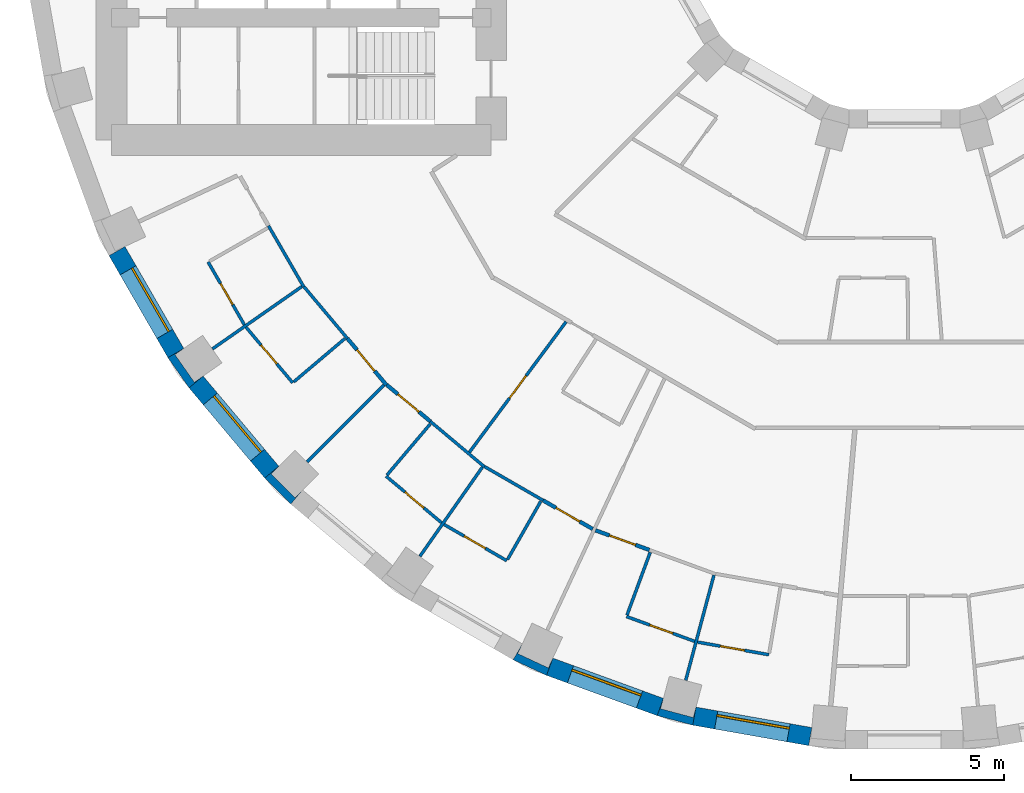
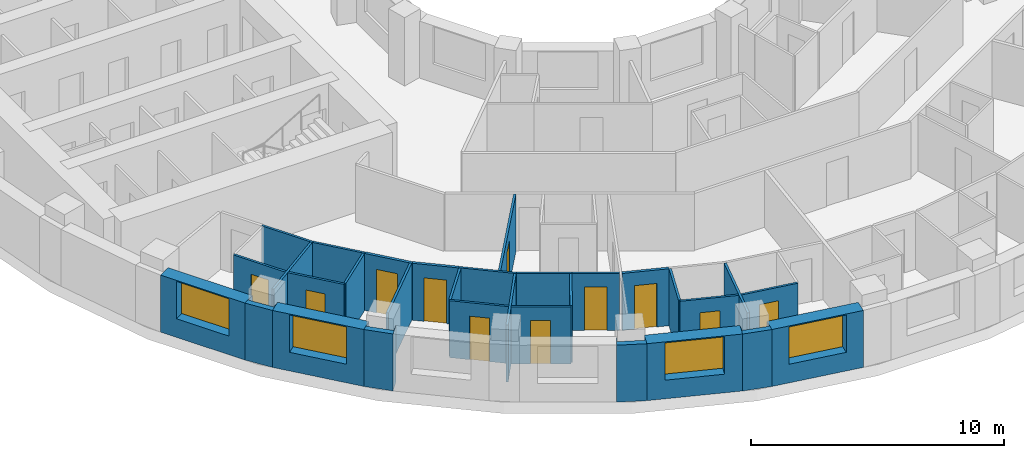
# One storey, part 4 of 15: 31 walls, 11 doors, 4 windows, 15 openings.
"""IFC4 building model written with IfcOpenShell, lengths in metres."""

from ifc_helpers import new_model, si_unit, direction, frame, frame_2d, origin, place, context, subcontext, project, spatial, polyline, rectangle, outline, extrude, material, layer, layer_set, type_object, element, fill, save


model = new_model("IFC4")

# Units and contexts
model_context = context("Model", 3, precision=1e-05, world=origin(), true_north=direction((0.0, 1.0)))
body_context = subcontext(model_context, "Body", "Model", "MODEL_VIEW")
ifc_project = project(units=[si_unit("LENGTHUNIT", "METRE"), si_unit("AREAUNIT", "SQUARE_METRE"), si_unit("VOLUMEUNIT", "CUBIC_METRE"), si_unit("PLANEANGLEUNIT", "RADIAN"), si_unit("MASSUNIT", "GRAM", prefix="KILO")], contexts=[model_context])

# Site, building, storey
site_placement = place(None, origin())
site = spatial("IfcSite", under=ifc_project, at=site_placement, CompositionType="ELEMENT")
building_placement = place(site_placement, origin())
building = spatial("IfcBuilding", under=site, at=building_placement, Name="Saqina Gate Tower", CompositionType="ELEMENT")
storey_placement = place(building_placement, frame((0.0, 0.0, 42.800048828125)))
storey = spatial("IfcBuildingStorey", under=building, at=storey_placement, Name="L11", CompositionType="ELEMENT", Elevation=42.800048828125)

# Walls
ifc_material_1 = material(Name="Brick masonry (red)", Category="masonry")
wall_type_1 = type_object("IfcWallType", Name="BRICK PIER COPING RED", PredefinedType="SOLIDWALL", material=ifc_material_1)
wall_1_placement = place(storey_placement, origin())
element("IfcWall", 1, at=wall_1_placement, inside=storey, type_object=wall_type_1, Name="Pier cap L11 column 22", PredefinedType="SOLIDWALL", context=body_context, shape_type="SweptSolid", body=[
    extrude(outline(polyline([(-24.0576171875, -16.110107421875), (-23.36669921875, -17.096923828125), (-22.9072265625, -16.711181640625), (-23.194091796875, -16.912109375), (-23.8251953125, -16.010986328125), (-23.5380859375, -15.81005859375), (-24.0576171875, -16.110107421875)])), origin(), (0.0, 0.0, 1.0), 2.75),
])
wall_2_placement = place(storey_placement, origin())
element("IfcWall", 2, at=wall_2_placement, inside=storey, type_object=wall_type_1, Name="Pier cap L11 column 23", PredefinedType="SOLIDWALL", context=body_context, shape_type="SweptSolid", body=[
    extrude(outline(polyline([(-20.04296875, -20.894775390625), (-19.6572265625, -20.43505859375), (-19.905029296875, -20.682861328125), (-20.682861328125, -19.905029296875), (-20.43505859375, -19.6572265625), (-20.894775390625, -20.04296875), (-20.04296875, -20.894775390625)])), origin(), (0.0, 0.0, 1.0), 2.75),
])
wall_3_placement = place(storey_placement, origin())
element("IfcWall", 3, at=wall_3_placement, inside=storey, type_object=wall_type_1, Name="Pier cap L11 column 25", PredefinedType="SOLIDWALL", context=body_context, shape_type="SweptSolid", body=[
    extrude(outline(polyline([(-11.687744140625, -26.48974609375), (-11.482666015625, -25.92578125), (-11.630615234375, -26.243408203125), (-12.627685546875, -25.778564453125), (-12.4794921875, -25.4609375), (-12.779541015625, -25.980712890625), (-11.687744140625, -26.48974609375)])), origin(), (0.0, 0.0, 1.0), 2.75),
])
wall_4_placement = place(storey_placement, origin())
element("IfcWall", 4, at=wall_4_placement, inside=storey, type_object=wall_type_1, Name="Pier cap L11 column 26", PredefinedType="SOLIDWALL", context=body_context, shape_type="SweptSolid", body=[
    extrude(outline(polyline([(-6.910400390625, -28.11669921875), (-6.80615234375, -27.52587890625), (-6.896728515625, -27.864501953125), (-7.95947265625, -27.57958984375), (-7.86865234375, -27.2412109375), (-8.073974609375, -27.80517578125), (-6.910400390625, -28.11669921875)])), origin(), (0.0, 0.0, 1.0), 2.75),
])

# Wall, opening, window
ifc_material_2 = material(Name="Brick masonry (red)", Category="masonry")
ifc_layer_1 = layer(ifc_material_2, 0.60009765625)
ifc_layer_set_1 = layer_set([ifc_layer_1], Name="FW-BRICK-RED")
wall_type_2 = type_object("IfcWallType", Name="FW-BRICK-RED", PredefinedType="SOLIDWALL", material=ifc_layer_set_1)
wall_5_placement = place(storey_placement, frame((-25.720703125, -12.629638671875, 0.0), z_axis=(0.0, 0.0, 1.0), x_axis=(0.499989888488, -0.86603124159, 0.0)))
wall_5 = element("IfcWall", 5, at=wall_5_placement, inside=storey, type_object=wall_type_2, Name="Facade wall L11 facet 21", PredefinedType="SOLIDWALL", context=body_context, shape_type="SweptSolid", body=[
    extrude(rectangle(XDim=3.845703125, YDim=0.60009765625, at=frame_2d((1.9228515625, 0.0))), origin(), (0.0, 0.0, 1.0), 2.75),
])
opening_1_placement = place(wall_5_placement, frame((0.722900390625, 0.0, 0.89990234375)))
opening_1 = element("IfcOpeningElement", 6, at=opening_1_placement, cuts=wall_5, Name="Opening G02-W14", PredefinedType="OPENING", context=body_context, shape_type="SweptSolid", body=[
    extrude(rectangle(XDim=2.39990234375, YDim=1.800048828125, at=frame_2d((1.199951171875, 0.89990234375))), frame((0.0, 0.31201171875, 0.0), z_axis=(0.0, -1.0, 0.0), x_axis=(1.0, 0.0, 0.0)), (0.0, 0.0, 1.0), 0.6240234375),
])
ifc_material_3 = material(Name="Aluminium glazing", Category="aluminium")
window_type = type_object("IfcWindowType", Name="WN-A", PartitioningType="SINGLE_PANEL", PredefinedType="WINDOW", material=ifc_material_3)
window_1_placement = place(opening_1_placement, origin())
window_1 = element("IfcWindow", 7, at=window_1_placement, inside=storey, type_object=window_type, Name="Window L11 facet 21", OverallHeight=1.800048828125, OverallWidth=2.39990234375, PartitioningType="SINGLE_PANEL", PredefinedType="WINDOW", context=body_context, shape_type="SweptSolid", body=[
    extrude(rectangle(XDim=2.39990234375, YDim=1.800048828125, at=frame_2d((1.199951171875, 0.89990234375))), frame((0.0, 0.179931640625, 0.0), z_axis=(0.0, -1.0, 0.0), x_axis=(1.0, 0.0, 0.0)), (0.0, 0.0, 1.0), 0.06005859375),
])
fill(opening_1, window_1)

wall_6_placement = place(storey_placement, frame((-23.136962890625, -16.904052734375, 0.0), z_axis=(0.0, 0.0, 1.0), x_axis=(0.642809392687, -0.766026164483, 0.0)))
wall_6 = element("IfcWall", 8, at=wall_6_placement, inside=storey, type_object=wall_type_2, Name="Facade wall L11 facet 22", PredefinedType="SOLIDWALL", context=body_context, shape_type="SweptSolid", body=[
    extrude(rectangle(XDim=3.845947265625, YDim=0.60009765625, at=frame_2d((1.9228515625, 0.0))), origin(), (0.0, 0.0, 1.0), 2.75),
])
opening_2_placement = place(wall_6_placement, frame((0.722900390625, 0.0, 0.89990234375)))
opening_2 = element("IfcOpeningElement", 9, at=opening_2_placement, cuts=wall_6, Name="Opening G02-W15", PredefinedType="OPENING", context=body_context, shape_type="SweptSolid", body=[
    extrude(rectangle(XDim=2.39990234375, YDim=1.800048828125, at=frame_2d((1.199951171875, 0.89990234375))), frame((0.0, 0.31201171875, 0.0), z_axis=(0.0, -1.0, 0.0), x_axis=(1.0, 0.0, 0.0)), (0.0, 0.0, 1.0), 0.6240234375),
])
window_2_placement = place(opening_2_placement, origin())
window_2 = element("IfcWindow", 10, at=window_2_placement, inside=storey, type_object=window_type, Name="Window L11 facet 22", OverallHeight=1.800048828125, OverallWidth=2.39990234375, PartitioningType="SINGLE_PANEL", PredefinedType="WINDOW", context=body_context, shape_type="SweptSolid", body=[
    extrude(rectangle(XDim=2.39990234375, YDim=1.800048828125, at=frame_2d((1.199951171875, 0.89990234375))), frame((0.0, 0.179931640625, 0.0), z_axis=(0.0, -1.0, 0.0), x_axis=(1.0, 0.0, 0.0)), (0.0, 0.0, 1.0), 0.06005859375),
])
fill(opening_2, window_2)

wall_7_placement = place(storey_placement, frame((-11.585205078125, -26.207763671875, 0.0), z_axis=(0.0, 0.0, 1.0), x_axis=(0.939689588564, -0.342028474173, 0.0)))
wall_7 = element("IfcWall", 11, at=wall_7_placement, inside=storey, type_object=wall_type_2, Name="Facade wall L11 facet 25", PredefinedType="SOLIDWALL", context=body_context, shape_type="SweptSolid", body=[
    extrude(rectangle(XDim=3.845947265625, YDim=0.60009765625, at=frame_2d((1.9228515625, 0.0))), origin(), (0.0, 0.0, 1.0), 2.75),
])
opening_3_placement = place(wall_7_placement, frame((0.722900390625, 0.0, 0.89990234375)))
opening_3 = element("IfcOpeningElement", 12, at=opening_3_placement, cuts=wall_7, Name="Opening G02-W18", PredefinedType="OPENING", context=body_context, shape_type="SweptSolid", body=[
    extrude(rectangle(XDim=2.39990234375, YDim=1.800048828125, at=frame_2d((1.199951171875, 0.89990234375))), frame((0.0, 0.31201171875, 0.0), z_axis=(0.0, -1.0, 0.0), x_axis=(1.0, 0.0, 0.0)), (0.0, 0.0, 1.0), 0.6240234375),
])
window_3_placement = place(opening_3_placement, origin())
window_3 = element("IfcWindow", 13, at=window_3_placement, inside=storey, type_object=window_type, Name="Window L11 facet 25", OverallHeight=1.800048828125, OverallWidth=2.39990234375, PartitioningType="SINGLE_PANEL", PredefinedType="WINDOW", context=body_context, shape_type="SweptSolid", body=[
    extrude(rectangle(XDim=2.39990234375, YDim=1.800048828125, at=frame_2d((1.199951171875, 0.89990234375))), frame((0.0, 0.179931640625, 0.0), z_axis=(0.0, -1.0, 0.0), x_axis=(1.0, 0.0, 0.0)), (0.0, 0.0, 1.0), 0.06005859375),
])
fill(opening_3, window_3)

wall_8_placement = place(storey_placement, frame((-6.858154296875, -27.8212890625, 0.0), z_axis=(0.0, 0.0, 1.0), x_axis=(0.984800809218, -0.173687553279, 0.0)))
wall_8 = element("IfcWall", 14, at=wall_8_placement, inside=storey, type_object=wall_type_2, Name="Facade wall L11 facet 26", PredefinedType="SOLIDWALL", context=body_context, shape_type="SweptSolid", body=[
    extrude(rectangle(XDim=3.845703125, YDim=0.60009765625, at=frame_2d((1.9228515625, 0.0))), origin(), (0.0, 0.0, 1.0), 2.75),
])
opening_4_placement = place(wall_8_placement, frame((0.722900390625, 0.0, 0.89990234375)))
opening_4 = element("IfcOpeningElement", 15, at=opening_4_placement, cuts=wall_8, Name="Opening G02-W19", PredefinedType="OPENING", context=body_context, shape_type="SweptSolid", body=[
    extrude(rectangle(XDim=2.39990234375, YDim=1.800048828125, at=frame_2d((1.199951171875, 0.89990234375))), frame((0.0, 0.31201171875, 0.0), z_axis=(0.0, -1.0, 0.0), x_axis=(1.0, 0.0, 0.0)), (0.0, 0.0, 1.0), 0.6240234375),
])
window_4_placement = place(opening_4_placement, origin())
window_4 = element("IfcWindow", 16, at=window_4_placement, inside=storey, type_object=window_type, Name="Window L11 facet 26", OverallHeight=1.800048828125, OverallWidth=2.39990234375, PartitioningType="SINGLE_PANEL", PredefinedType="WINDOW", context=body_context, shape_type="SweptSolid", body=[
    extrude(rectangle(XDim=2.39990234375, YDim=1.800048828125, at=frame_2d((1.199951171875, 0.89990234375))), frame((0.0, 0.179931640625, 0.0), z_axis=(0.0, -1.0, 0.0), x_axis=(1.0, 0.0, 0.0)), (0.0, 0.0, 1.0), 0.06005859375),
])
fill(opening_4, window_4)

# Wall, opening, door
ifc_material_4 = material(Name="Gypsum board on steel studs, 100 mm", Category="steel")
ifc_layer_2 = layer(ifc_material_4, 0.10009765625)
ifc_layer_set_2 = layer_set([ifc_layer_2], Name="PARTITION 100")
wall_type_3 = type_object("IfcWallType", Name="PARTITION 100", PredefinedType="PARTITIONING", material=ifc_layer_set_2)
wall_9_placement = place(storey_placement, frame((-22.743896484375, -12.985107421875, 0.0), z_axis=(0.0, 0.0, 1.0), x_axis=(0.499987246797, -0.866032766724, 0.0)))
wall_9 = element("IfcWall", 17, at=wall_9_placement, inside=storey, type_object=wall_type_3, Name="PARTITION PW3-23", PredefinedType="PARTITIONING", context=body_context, shape_type="SweptSolid", body=[
    extrude(rectangle(XDim=2.36767578125, YDim=0.10009765625, at=frame_2d((1.183837890625, 0.0))), origin(), (0.0, 0.0, 1.0), 2.75),
])
opening_5_placement = place(wall_9_placement, frame((0.80908203125, 0.0, 0.0)))
opening_5 = element("IfcOpeningElement", 18, at=opening_5_placement, cuts=wall_9, Name="Opening G02-D33", PredefinedType="OPENING", context=body_context, shape_type="SweptSolid", body=[
    extrude(rectangle(XDim=0.800048828125, YDim=2.10009765625, at=frame_2d((0.39990234375, 1.050048828125))), frame((0.0, 0.06201171875, 0.0), z_axis=(0.0, -1.0, 0.0), x_axis=(1.0, 0.0, 0.0)), (0.0, 0.0, 1.0), 0.1240234375),
])
ifc_material_5 = material(Name="Timber door leaf, 800 mm", Category="wood")
door_type_1 = type_object("IfcDoorType", Name="DOOR 800 TIMBER", OperationType="SINGLE_SWING_LEFT", PredefinedType="DOOR", material=ifc_material_5)
door_1_placement = place(opening_5_placement, frame((0.800048828125, 0.0, 0.0), z_axis=(0.0, 0.0, 1.0), x_axis=(-1.0, 0.0, 0.0)))
door_1 = element("IfcDoor", 19, at=door_1_placement, inside=storey, type_object=door_type_1, Name="DOOR G02-D33", OperationType="SINGLE_SWING_LEFT", OverallHeight=2.10009765625, OverallWidth=0.800048828125, PredefinedType="DOOR", context=body_context, shape_type="SweptSolid", body=[
    extrude(rectangle(XDim=0.800048828125, YDim=2.10009765625, at=frame_2d((0.39990234375, 1.050048828125))), frame((0.0, 0.02490234375, 0.0), z_axis=(0.0, -1.0, 0.0), x_axis=(1.0, 0.0, 0.0)), (0.0, 0.0, 1.0), 0.050048828125),
])
fill(opening_5, door_1)

# Wall
wall_10_placement = place(storey_placement, frame((-20.77197265625, -11.8017578125, 0.0), z_axis=(0.0, 0.0, 1.0), x_axis=(0.500055369823, -0.865993433642, 0.0)))
element("IfcWall", 20, at=wall_10_placement, inside=storey, type_object=wall_type_3, Name="PARTITION PW3-24", PredefinedType="PARTITIONING", context=body_context, shape_type="SweptSolid", body=[
    extrude(rectangle(XDim=2.306396484375, YDim=0.10009765625, at=frame_2d((1.1533203125, 0.0))), origin(), (0.0, 0.0, 1.0), 2.75),
])

# Wall, opening, door
wall_11_placement = place(storey_placement, frame((-21.5029296875, -15.1171875, 0.0), z_axis=(0.0, 0.0, 1.0), x_axis=(0.642807507344, -0.766027746561, 0.0)))
wall_11 = element("IfcWall", 21, at=wall_11_placement, inside=storey, type_object=wall_type_3, Name="PARTITION PW3-30", PredefinedType="PARTITIONING", context=body_context, shape_type="SweptSolid", body=[
    extrude(rectangle(XDim=2.36767578125, YDim=0.10009765625, at=frame_2d((1.183837890625, 0.0))), origin(), (0.0, 0.0, 1.0), 2.75),
])
opening_6_placement = place(wall_11_placement, frame((0.7587890625, 0.0, 0.0)))
opening_6 = element("IfcOpeningElement", 22, at=opening_6_placement, cuts=wall_11, Name="Opening G02-D34", PredefinedType="OPENING", context=body_context, shape_type="SweptSolid", body=[
    extrude(rectangle(XDim=0.800048828125, YDim=2.10009765625, at=frame_2d((0.39990234375, 1.050048828125))), frame((0.0, 0.06201171875, 0.0), z_axis=(0.0, -1.0, 0.0), x_axis=(1.0, 0.0, 0.0)), (0.0, 0.0, 1.0), 0.1240234375),
])
door_2_placement = place(opening_6_placement, frame((0.800048828125, 0.0, 0.0), z_axis=(0.0, 0.0, 1.0), x_axis=(-1.0, 0.0, 0.0)))
door_2 = element("IfcDoor", 23, at=door_2_placement, inside=storey, type_object=door_type_1, Name="DOOR G02-D34", OperationType="SINGLE_SWING_RIGHT", OverallHeight=2.10009765625, OverallWidth=0.800048828125, PredefinedType="DOOR", context=body_context, shape_type="SweptSolid", body=[
    extrude(rectangle(XDim=0.800048828125, YDim=2.10009765625, at=frame_2d((0.39990234375, 1.050048828125))), frame((0.0, 0.02490234375, 0.0), z_axis=(0.0, -1.0, 0.0), x_axis=(1.0, 0.0, 0.0)), (0.0, 0.0, 1.0), 0.050048828125),
])
fill(opening_6, door_2)

# Wall
wall_12_placement = place(storey_placement, frame((-19.61181640625, -13.793212890625, 0.0), z_axis=(0.0, 0.0, 1.0), x_axis=(0.642989550085, -0.765874949637, 0.0)))
element("IfcWall", 24, at=wall_12_placement, inside=storey, type_object=wall_type_3, Name="PARTITION PW3-31", PredefinedType="PARTITIONING", context=body_context, shape_type="SweptSolid", body=[
    extrude(rectangle(XDim=2.205322265625, YDim=0.10009765625, at=frame_2d((1.1025390625, 0.0))), origin(), (0.0, 0.0, 1.0), 2.75),
])

# Wall, opening, door
wall_13_placement = place(storey_placement, frame((-16.930908203125, -19.98095703125, 0.0), z_axis=(0.0, 0.0, 1.0), x_axis=(0.766027746561, -0.642807507344, 0.0)))
wall_13 = element("IfcWall", 25, at=wall_13_placement, inside=storey, type_object=wall_type_3, Name="PARTITION PW3-36", PredefinedType="PARTITIONING", context=body_context, shape_type="SweptSolid", body=[
    extrude(rectangle(XDim=2.36767578125, YDim=0.10009765625, at=frame_2d((1.183837890625, 0.0))), origin(), (0.0, 0.0, 1.0), 2.75),
])
opening_7_placement = place(wall_13_placement, frame((0.808837890625, 0.0, 0.0)))
opening_7 = element("IfcOpeningElement", 26, at=opening_7_placement, cuts=wall_13, Name="Opening G02-D37", PredefinedType="OPENING", context=body_context, shape_type="SweptSolid", body=[
    extrude(rectangle(XDim=0.800048828125, YDim=2.10009765625, at=frame_2d((0.39990234375, 1.050048828125))), frame((0.0, 0.06201171875, 0.0), z_axis=(0.0, -1.0, 0.0), x_axis=(1.0, 0.0, 0.0)), (0.0, 0.0, 1.0), 0.1240234375),
])
door_3_placement = place(opening_7_placement, frame((0.800048828125, 0.0, 0.0), z_axis=(0.0, 0.0, 1.0), x_axis=(-1.0, 0.0, 0.0)))
door_3 = element("IfcDoor", 27, at=door_3_placement, inside=storey, type_object=door_type_1, Name="DOOR G02-D37", OperationType="SINGLE_SWING_LEFT", OverallHeight=2.10009765625, OverallWidth=0.800048828125, PredefinedType="DOOR", context=body_context, shape_type="SweptSolid", body=[
    extrude(rectangle(XDim=0.800048828125, YDim=2.10009765625, at=frame_2d((0.39990234375, 1.050048828125))), frame((0.0, 0.02490234375, 0.0), z_axis=(0.0, -1.0, 0.0), x_axis=(1.0, 0.0, 0.0)), (0.0, 0.0, 1.0), 0.050048828125),
])
fill(opening_7, door_3)

# Wall
wall_14_placement = place(storey_placement, frame((-15.482177734375, -18.19384765625, 0.0), z_axis=(0.0, 0.0, 1.0), x_axis=(0.765838323525, -0.643033173499, 0.0)))
element("IfcWall", 28, at=wall_14_placement, inside=storey, type_object=wall_type_3, Name="PARTITION PW3-37", PredefinedType="PARTITIONING", context=body_context, shape_type="SweptSolid", body=[
    extrude(rectangle(XDim=2.30615234375, YDim=0.10009765625, at=frame_2d((1.153076171875, 0.0))), origin(), (0.0, 0.0, 1.0), 2.75),
])

# Wall, opening, door
wall_15_placement = place(storey_placement, frame((-15.03564453125, -21.56005859375, 0.0), z_axis=(0.0, 0.0, 1.0), x_axis=(0.866032766724, -0.499987246797, 0.0)))
wall_15 = element("IfcWall", 29, at=wall_15_placement, inside=storey, type_object=wall_type_3, Name="PARTITION PW3-40", PredefinedType="PARTITIONING", context=body_context, shape_type="SweptSolid", body=[
    extrude(rectangle(XDim=2.36767578125, YDim=0.10009765625, at=frame_2d((1.183837890625, 0.0))), origin(), (0.0, 0.0, 1.0), 2.75),
])
opening_8_placement = place(wall_15_placement, frame((0.759033203125, 0.0, 0.0)))
opening_8 = element("IfcOpeningElement", 30, at=opening_8_placement, cuts=wall_15, Name="Opening G02-D41", PredefinedType="OPENING", context=body_context, shape_type="SweptSolid", body=[
    extrude(rectangle(XDim=0.800048828125, YDim=2.10009765625, at=frame_2d((0.39990234375, 1.050048828125))), frame((0.0, 0.06201171875, 0.0), z_axis=(0.0, -1.0, 0.0), x_axis=(1.0, 0.0, 0.0)), (0.0, 0.0, 1.0), 0.1240234375),
])
door_4_placement = place(opening_8_placement, frame((0.800048828125, 0.0, 0.0), z_axis=(0.0, 0.0, 1.0), x_axis=(-1.0, 0.0, 0.0)))
door_4 = element("IfcDoor", 31, at=door_4_placement, inside=storey, type_object=door_type_1, Name="DOOR G02-D41", OperationType="SINGLE_SWING_RIGHT", OverallHeight=2.10009765625, OverallWidth=0.800048828125, PredefinedType="DOOR", context=body_context, shape_type="SweptSolid", body=[
    extrude(rectangle(XDim=0.800048828125, YDim=2.10009765625, at=frame_2d((0.39990234375, 1.050048828125))), frame((0.0, 0.02490234375, 0.0), z_axis=(0.0, -1.0, 0.0), x_axis=(1.0, 0.0, 0.0)), (0.0, 0.0, 1.0), 0.050048828125),
])
fill(opening_8, door_4)

# Wall
wall_16_placement = place(storey_placement, frame((-13.711669921875, -19.6689453125, 0.0), z_axis=(0.0, 0.0, 1.0), x_axis=(0.865958826185, -0.500115298058, 0.0)))
element("IfcWall", 32, at=wall_16_placement, inside=storey, type_object=wall_type_3, Name="PARTITION PW3-41", PredefinedType="PARTITIONING", context=body_context, shape_type="SweptSolid", body=[
    extrude(rectangle(XDim=2.20556640625, YDim=0.10009765625, at=frame_2d((1.102783203125, 0.0))), origin(), (0.0, 0.0, 1.0), 2.75),
])

# Wall, opening, door
wall_17_placement = place(storey_placement, frame((-9.075927734375, -24.56689453125, 0.0), z_axis=(0.0, 0.0, 1.0), x_axis=(0.939654860842, -0.342123870106, 0.0)))
wall_17 = element("IfcWall", 33, at=wall_17_placement, inside=storey, type_object=wall_type_3, Name="PARTITION PW3-49", PredefinedType="PARTITIONING", context=body_context, shape_type="SweptSolid", body=[
    extrude(rectangle(XDim=2.36767578125, YDim=0.10009765625, at=frame_2d((1.183837890625, 0.0))), origin(), (0.0, 0.0, 1.0), 2.75),
])
opening_9_placement = place(wall_17_placement, frame((0.808837890625, 0.0, 0.0)))
opening_9 = element("IfcOpeningElement", 34, at=opening_9_placement, cuts=wall_17, Name="Opening G02-D47", PredefinedType="OPENING", context=body_context, shape_type="SweptSolid", body=[
    extrude(rectangle(XDim=0.800048828125, YDim=2.10009765625, at=frame_2d((0.39990234375, 1.050048828125))), frame((0.0, 0.06201171875, 0.0), z_axis=(0.0, -1.0, 0.0), x_axis=(1.0, 0.0, 0.0)), (0.0, 0.0, 1.0), 0.1240234375),
])
door_5_placement = place(opening_9_placement, frame((0.800048828125, 0.0, 0.0), z_axis=(0.0, 0.0, 1.0), x_axis=(-1.0, 0.0, 0.0)))
door_5 = element("IfcDoor", 35, at=door_5_placement, inside=storey, type_object=door_type_1, Name="DOOR G02-D47", OperationType="SINGLE_SWING_LEFT", OverallHeight=2.10009765625, OverallWidth=0.800048828125, PredefinedType="DOOR", context=body_context, shape_type="SweptSolid", body=[
    extrude(rectangle(XDim=0.800048828125, YDim=2.10009765625, at=frame_2d((0.39990234375, 1.050048828125))), frame((0.0, 0.02490234375, 0.0), z_axis=(0.0, -1.0, 0.0), x_axis=(1.0, 0.0, 0.0)), (0.0, 0.0, 1.0), 0.050048828125),
])
fill(opening_9, door_5)

wall_18_placement = place(storey_placement, frame((-6.754638671875, -25.402587890625, 0.0), z_axis=(0.0, 0.0, 1.0), x_axis=(0.984788748944, -0.173755920625, 0.0)))
wall_18 = element("IfcWall", 36, at=wall_18_placement, inside=storey, type_object=wall_type_3, Name="PARTITION PW3-53", PredefinedType="PARTITIONING", context=body_context, shape_type="SweptSolid", body=[
    extrude(rectangle(XDim=2.36767578125, YDim=0.10009765625, at=frame_2d((1.183837890625, 0.0))), origin(), (0.0, 0.0, 1.0), 2.75),
])
opening_10_placement = place(wall_18_placement, frame((0.7587890625, 0.0, 0.0)))
opening_10 = element("IfcOpeningElement", 37, at=opening_10_placement, cuts=wall_18, Name="Opening G02-D48", PredefinedType="OPENING", context=body_context, shape_type="SweptSolid", body=[
    extrude(rectangle(XDim=0.800048828125, YDim=2.10009765625, at=frame_2d((0.39990234375, 1.050048828125))), frame((0.0, 0.06201171875, 0.0), z_axis=(0.0, -1.0, 0.0), x_axis=(1.0, 0.0, 0.0)), (0.0, 0.0, 1.0), 0.1240234375),
])
door_6_placement = place(opening_10_placement, frame((0.800048828125, 0.0, 0.0), z_axis=(0.0, 0.0, 1.0), x_axis=(-1.0, 0.0, 0.0)))
door_6 = element("IfcDoor", 38, at=door_6_placement, inside=storey, type_object=door_type_1, Name="DOOR G02-D48", OperationType="SINGLE_SWING_RIGHT", OverallHeight=2.10009765625, OverallWidth=0.800048828125, PredefinedType="DOOR", context=body_context, shape_type="SweptSolid", body=[
    extrude(rectangle(XDim=0.800048828125, YDim=2.10009765625, at=frame_2d((0.39990234375, 1.050048828125))), frame((0.0, 0.02490234375, 0.0), z_axis=(0.0, -1.0, 0.0), x_axis=(1.0, 0.0, 0.0)), (0.0, 0.0, 1.0), 0.050048828125),
])
fill(opening_10, door_6)

# Walls
wall_19_placement = place(storey_placement, frame((-22.601806640625, -15.822998046875, 0.0), z_axis=(0.0, 0.0, 1.0), x_axis=(0.820194321254, 0.57208502461, 0.0)))
element("IfcWall", 39, at=wall_19_placement, inside=storey, type_object=wall_type_3, Name="PARTITION PW3-82", PredefinedType="PARTITIONING", context=body_context, shape_type="SweptSolid", body=[
    extrude(rectangle(XDim=3.55908203125, YDim=0.10009765625, at=frame_2d((1.779541015625, 0.0))), origin(), (0.0, 0.0, 1.0), 2.75),
])
wall_20_placement = place(storey_placement, frame((-19.94287109375, -16.898681640625, 0.0), z_axis=(0.0, 0.0, 1.0), x_axis=(0.762954369322, 0.646452341887, 0.0)))
element("IfcWall", 40, at=wall_20_placement, inside=storey, type_object=wall_type_3, Name="PARTITION PW3-86", PredefinedType="PARTITIONING", context=body_context, shape_type="SweptSolid", body=[
    extrude(rectangle(XDim=2.187744140625, YDim=0.10009765625, at=frame_2d((1.09375, 0.0))), origin(), (0.0, 0.0, 1.0), 2.75),
])
wall_21_placement = place(storey_placement, frame((-19.509033203125, -19.509033203125, 0.0), z_axis=(0.0, 0.0, 1.0), x_axis=(0.707106781187, 0.707106781187, 0.0)))
element("IfcWall", 41, at=wall_21_placement, inside=storey, type_object=wall_type_3, Name="PARTITION PW3-89", PredefinedType="PARTITIONING", context=body_context, shape_type="SweptSolid", body=[
    extrude(rectangle(XDim=3.546630859375, YDim=0.10009765625, at=frame_2d((1.7734375, 0.0))), origin(), (0.0, 0.0, 1.0), 2.75),
])
wall_22_placement = place(storey_placement, frame((-16.898681640625, -19.94287109375, 0.0), z_axis=(0.0, 0.0, 1.0), x_axis=(0.646452341887, 0.762954369322, 0.0)))
element("IfcWall", 42, at=wall_22_placement, inside=storey, type_object=wall_type_3, Name="PARTITION PW3-91", PredefinedType="PARTITIONING", context=body_context, shape_type="SweptSolid", body=[
    extrude(rectangle(XDim=2.187744140625, YDim=0.10009765625, at=frame_2d((1.09375, 0.0))), origin(), (0.0, 0.0, 1.0), 2.75),
])

# Wall, opening, door
wall_23_placement = place(storey_placement, frame((-14.20703125, -19.199462890625, 0.0), z_axis=(0.0, 0.0, 1.0), x_axis=(0.595318943931, 0.80348948655, 0.0)))
wall_23 = element("IfcWall", 43, at=wall_23_placement, inside=storey, type_object=wall_type_3, Name="PARTITION PW3-95", PredefinedType="PARTITIONING", context=body_context, shape_type="SweptSolid", body=[
    extrude(rectangle(XDim=5.30224609375, YDim=0.10009765625, at=frame_2d((2.651123046875, 0.0))), origin(), (0.0, 0.0, 1.0), 2.75),
])
opening_11_placement = place(wall_23_placement, frame((2.20703125, 0.0, 0.0)))
opening_11 = element("IfcOpeningElement", 44, at=opening_11_placement, cuts=wall_23, Name="Opening G02-D39", PredefinedType="OPENING", context=body_context, shape_type="SweptSolid", body=[
    extrude(rectangle(XDim=0.89990234375, YDim=2.10009765625, at=frame_2d((0.449951171875, 1.050048828125))), frame((0.0, 0.06201171875, 0.0), z_axis=(0.0, -1.0, 0.0), x_axis=(1.0, 0.0, 0.0)), (0.0, 0.0, 1.0), 0.1240234375),
])
ifc_material_6 = material(Name="Timber door leaf, 900 mm", Category="wood")
door_type_2 = type_object("IfcDoorType", Name="DOOR 900 TIMBER", OperationType="SINGLE_SWING_LEFT", PredefinedType="DOOR", material=ifc_material_6)
door_7_placement = place(opening_11_placement, origin())
door_7 = element("IfcDoor", 45, at=door_7_placement, inside=storey, type_object=door_type_2, Name="DOOR G02-D39", OperationType="SINGLE_SWING_RIGHT", OverallHeight=2.10009765625, OverallWidth=0.89990234375, PredefinedType="DOOR", context=body_context, shape_type="SweptSolid", body=[
    extrude(rectangle(XDim=0.89990234375, YDim=2.10009765625, at=frame_2d((0.449951171875, 1.050048828125))), frame((0.0, 0.02490234375, 0.0), z_axis=(0.0, -1.0, 0.0), x_axis=(1.0, 0.0, 0.0)), (0.0, 0.0, 1.0), 0.050048828125),
])
fill(opening_11, door_7)

# Walls
wall_24_placement = place(storey_placement, frame((-15.824951171875, -22.600341796875, 0.0), z_axis=(0.0, 0.0, 1.0), x_axis=(0.573536002802, 0.819180354678, 0.0)))
element("IfcWall", 46, at=wall_24_placement, inside=storey, type_object=wall_type_3, Name="PARTITION PW3-97", PredefinedType="PARTITIONING", context=body_context, shape_type="SweptSolid", body=[
    extrude(rectangle(XDim=3.55908203125, YDim=0.10009765625, at=frame_2d((1.779541015625, 0.0))), origin(), (0.0, 0.0, 1.0), 2.75),
])
for number, where, z_axis, x_axis, name in (
    (47, (-12.960205078125, -22.70068359375, 0.0), (0.0, 0.0, 1.0), (0.495742176046, 0.86846974322, 0.0), "PARTITION PW3-101"),
    (48, (-9.05859375, -24.52001953125, 0.0), (0.0, 0.0, 1.0), (0.346507080222, 0.93804735667, 0.0), "PARTITION PW3-105"),
):
    element("IfcWall", number, at=place(storey_placement, frame(where, z_axis=z_axis, x_axis=x_axis)), inside=storey, type_object=wall_type_3, Name=name, PredefinedType="PARTITIONING", context=body_context, shape_type="SweptSolid", body=[
        extrude(rectangle(XDim=2.18701171875, YDim=0.10009765625, at=frame_2d((1.093505859375, 0.0))), origin(), (0.0, 0.0, 1.0), 2.75),
    ])
wall_25_placement = place(storey_placement, frame((-7.140869140625, -26.64990234375, 0.0), z_axis=(0.0, 0.0, 1.0), x_axis=(0.259045837699, 0.965865028858, 0.0)))
element("IfcWall", 49, at=wall_25_placement, inside=storey, type_object=wall_type_3, Name="PARTITION PW3-108", PredefinedType="PARTITIONING", context=body_context, shape_type="SweptSolid", body=[
    extrude(rectangle(XDim=3.558837890625, YDim=0.10009765625, at=frame_2d((1.779296875, 0.0))), origin(), (0.0, 0.0, 1.0), 2.75),
])

# Wall, opening, door
ifc_material_7 = material(Name="Gypsum board on steel studs, 125 mm, fire rated", Category="steel")
ifc_layer_3 = layer(ifc_material_7, 0.125)
ifc_layer_set_3 = layer_set([ifc_layer_3], Name="PARTITION EI 30 125")
wall_type_4 = type_object("IfcWallType", Name="PARTITION EI 30 125", PredefinedType="PARTITIONING", material=ifc_layer_set_3)
wall_26_placement = place(storey_placement, frame((-18.19384765625, -15.482421875, 0.0), z_axis=(0.0, 0.0, 1.0), x_axis=(0.642633191675, -0.766173988698, 0.0)))
wall_26 = element("IfcWall", 50, at=wall_26_placement, inside=storey, type_object=wall_type_4, Name="PARTITION PW1-07", PredefinedType="PARTITIONING", context=body_context, shape_type="SweptSolid", body=[
    extrude(rectangle(XDim=1.988037109375, YDim=0.125, at=frame_2d((0.994140625, 0.0))), origin(), (0.0, 0.0, 1.0), 2.75),
])
opening_12_placement = place(wall_26_placement, frame((0.4873046875, 0.0, 0.0)))
opening_12 = element("IfcOpeningElement", 51, at=opening_12_placement, cuts=wall_26, Name="Opening G02-D35", PredefinedType="OPENING", context=body_context, shape_type="SweptSolid", body=[
    extrude(rectangle(XDim=0.89990234375, YDim=2.10009765625, at=frame_2d((0.449951171875, 1.050048828125))), frame((0.0, 0.074462890625, 0.0), z_axis=(0.0, -1.0, 0.0), x_axis=(1.0, 0.0, 0.0)), (0.0, 0.0, 1.0), 0.14892578125),
])
ifc_material_8 = material(Name="Fire door leaf EI 30, 900 mm")
door_type_3 = type_object("IfcDoorType", Name="DOOR 900 EI 30", OperationType="SINGLE_SWING_LEFT", PredefinedType="DOOR", material=ifc_material_8)
door_8_placement = place(opening_12_placement, origin())
door_8 = element("IfcDoor", 52, at=door_8_placement, inside=storey, type_object=door_type_3, Name="DOOR G02-D35", OperationType="SINGLE_SWING_RIGHT", OverallHeight=2.10009765625, OverallWidth=0.89990234375, PredefinedType="DOOR", context=body_context, shape_type="SweptSolid", body=[
    extrude(rectangle(XDim=0.89990234375, YDim=2.10009765625, at=frame_2d((0.449951171875, 1.050048828125))), frame((0.0, 0.02490234375, 0.0), z_axis=(0.0, -1.0, 0.0), x_axis=(1.0, 0.0, 0.0)), (0.0, 0.0, 1.0), 0.050048828125),
])
fill(opening_12, door_8)

wall_27_placement = place(storey_placement, frame((-16.9091796875, -16.9970703125, 0.0), z_axis=(0.0, 0.0, 1.0), x_axis=(0.766154061521, -0.642656948935, 0.0)))
wall_27 = element("IfcWall", 53, at=wall_27_placement, inside=storey, type_object=wall_type_4, Name="PARTITION PW1-12", PredefinedType="PARTITIONING", context=body_context, shape_type="SweptSolid", body=[
    extrude(rectangle(XDim=1.8623046875, YDim=0.125, at=frame_2d((0.93115234375, 0.0))), origin(), (0.0, 0.0, 1.0), 2.75),
])
opening_13_placement = place(wall_27_placement, frame((0.474853515625, 0.0, 0.0)))
opening_13 = element("IfcOpeningElement", 54, at=opening_13_placement, cuts=wall_27, Name="Opening G02-D36", PredefinedType="OPENING", context=body_context, shape_type="SweptSolid", body=[
    extrude(rectangle(XDim=0.89990234375, YDim=2.10009765625, at=frame_2d((0.449951171875, 1.050048828125))), frame((0.0, 0.074462890625, 0.0), z_axis=(0.0, -1.0, 0.0), x_axis=(1.0, 0.0, 0.0)), (0.0, 0.0, 1.0), 0.14892578125),
])
door_9_placement = place(opening_13_placement, origin())
door_9 = element("IfcDoor", 55, at=door_9_placement, inside=storey, type_object=door_type_3, Name="DOOR G02-D36", OperationType="SINGLE_SWING_LEFT", OverallHeight=2.10009765625, OverallWidth=0.89990234375, PredefinedType="DOOR", context=body_context, shape_type="SweptSolid", body=[
    extrude(rectangle(XDim=0.89990234375, YDim=2.10009765625, at=frame_2d((0.449951171875, 1.050048828125))), frame((0.0, 0.02490234375, 0.0), z_axis=(0.0, -1.0, 0.0), x_axis=(1.0, 0.0, 0.0)), (0.0, 0.0, 1.0), 0.050048828125),
])
fill(opening_13, door_9)

wall_28_placement = place(storey_placement, frame((-11.8017578125, -20.77197265625, 0.0), z_axis=(0.0, 0.0, 1.0), x_axis=(0.866103179807, -0.499865263774, 0.0)))
wall_28 = element("IfcWall", 56, at=wall_28_placement, inside=storey, type_object=wall_type_4, Name="PARTITION PW1-15", PredefinedType="PARTITIONING", context=body_context, shape_type="SweptSolid", body=[
    extrude(rectangle(XDim=1.87451171875, YDim=0.125, at=frame_2d((0.937255859375, 0.0))), origin(), (0.0, 0.0, 1.0), 2.75),
])
opening_14_placement = place(wall_28_placement, frame((0.4873046875, 0.0, 0.0)))
opening_14 = element("IfcOpeningElement", 57, at=opening_14_placement, cuts=wall_28, Name="Opening G02-D43", PredefinedType="OPENING", context=body_context, shape_type="SweptSolid", body=[
    extrude(rectangle(XDim=0.89990234375, YDim=2.10009765625, at=frame_2d((0.449951171875, 1.050048828125))), frame((0.0, 0.074462890625, 0.0), z_axis=(0.0, -1.0, 0.0), x_axis=(1.0, 0.0, 0.0)), (0.0, 0.0, 1.0), 0.14892578125),
])
door_10_placement = place(opening_14_placement, origin())
door_10 = element("IfcDoor", 58, at=door_10_placement, inside=storey, type_object=door_type_3, Name="DOOR G02-D43", OperationType="SINGLE_SWING_RIGHT", OverallHeight=2.10009765625, OverallWidth=0.89990234375, PredefinedType="DOOR", context=body_context, shape_type="SweptSolid", body=[
    extrude(rectangle(XDim=0.89990234375, YDim=2.10009765625, at=frame_2d((0.449951171875, 1.050048828125))), frame((0.0, 0.02490234375, 0.0), z_axis=(0.0, -1.0, 0.0), x_axis=(1.0, 0.0, 0.0)), (0.0, 0.0, 1.0), 0.050048828125),
])
fill(opening_14, door_10)

wall_29_placement = place(storey_placement, frame((-10.088134765625, -21.751220703125, 0.0), z_axis=(0.0, 0.0, 1.0), x_axis=(0.939656514106, -0.342119329325, 0.0)))
wall_29 = element("IfcWall", 59, at=wall_29_placement, inside=storey, type_object=wall_type_4, Name="PARTITION PW1-22", PredefinedType="PARTITIONING", context=body_context, shape_type="SweptSolid", body=[
    extrude(rectangle(XDim=1.87548828125, YDim=0.125, at=frame_2d((0.937744140625, 0.0))), origin(), (0.0, 0.0, 1.0), 2.75),
])
opening_15_placement = place(wall_29_placement, frame((0.487548828125, 0.0, 0.0)))
opening_15 = element("IfcOpeningElement", 60, at=opening_15_placement, cuts=wall_29, Name="Opening G02-D46", PredefinedType="OPENING", context=body_context, shape_type="SweptSolid", body=[
    extrude(rectangle(XDim=0.89990234375, YDim=2.10009765625, at=frame_2d((0.449951171875, 1.050048828125))), frame((0.0, 0.074462890625, 0.0), z_axis=(0.0, -1.0, 0.0), x_axis=(1.0, 0.0, 0.0)), (0.0, 0.0, 1.0), 0.14892578125),
])
door_11_placement = place(opening_15_placement, origin())
door_11 = element("IfcDoor", 61, at=door_11_placement, inside=storey, type_object=door_type_3, Name="DOOR G02-D46", OperationType="SINGLE_SWING_LEFT", OverallHeight=2.10009765625, OverallWidth=0.89990234375, PredefinedType="DOOR", context=body_context, shape_type="SweptSolid", body=[
    extrude(rectangle(XDim=0.89990234375, YDim=2.10009765625, at=frame_2d((0.449951171875, 1.050048828125))), frame((0.0, 0.02490234375, 0.0), z_axis=(0.0, -1.0, 0.0), x_axis=(1.0, 0.0, 0.0)), (0.0, 0.0, 1.0), 0.050048828125),
])
fill(opening_15, door_11)

save(model, "model.ifc")
